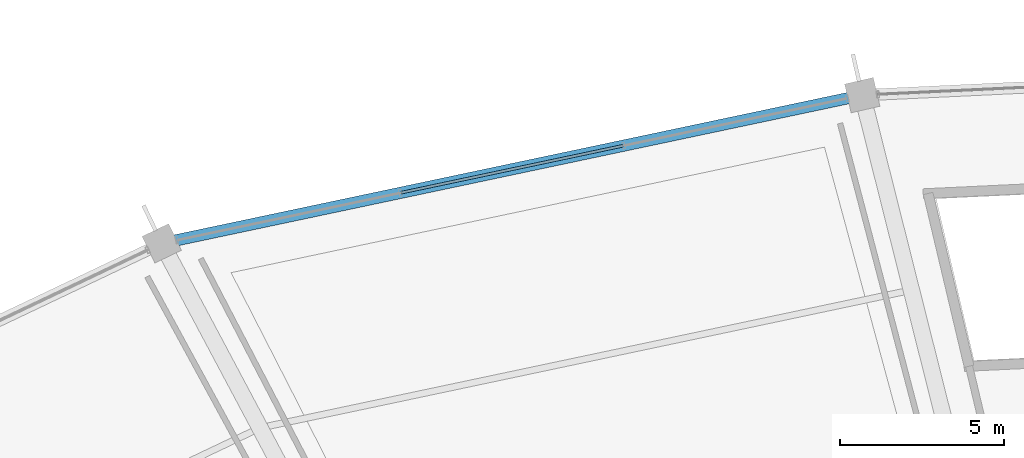
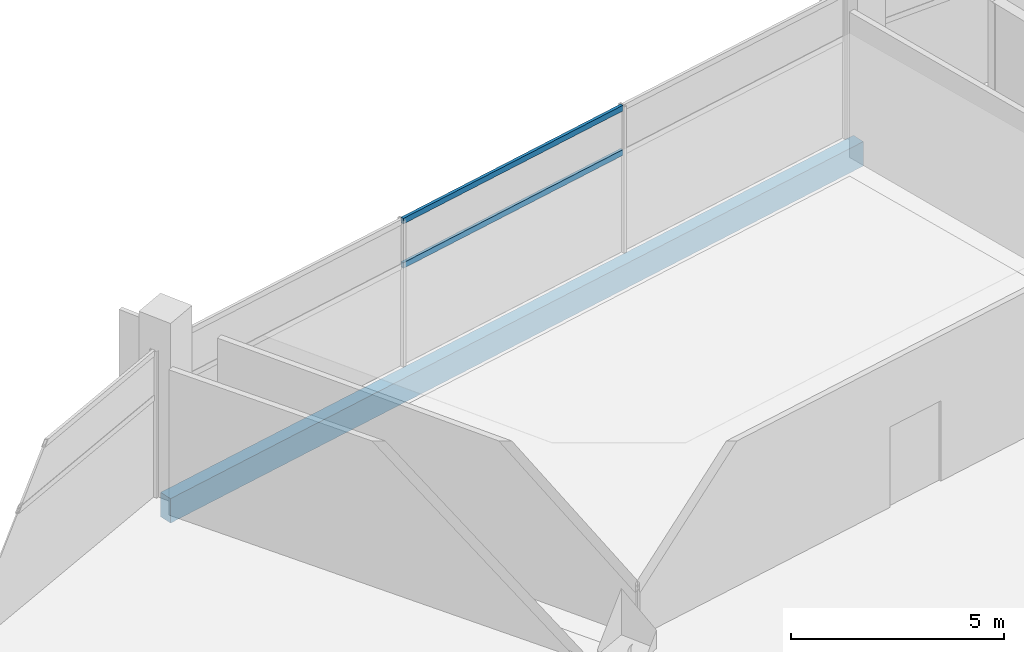
# One storey, part 115 of 184: 2 members, 1 beam, 1 element without a shape of its own.
"""IFC4 building model written with IfcOpenShell, lengths in metres."""

from ifc_helpers import new_model, si_unit, direction, frame, origin, origin_2d, place, context, subcontext, project, spatial, rectangle, hollow_rectangle, extrude, material, layer, layer_set, material_profile, profile_set, type_object, element, aggregate, save


model = new_model("IFC4")

# Units and contexts
model_context = context("Model", 3, precision=1e-05, world=origin(), true_north=direction((0.0, 1.0)))
body_context = subcontext(model_context, "Body", "Model", "MODEL_VIEW")
ifc_project = project(units=[si_unit("LENGTHUNIT", "METRE"), si_unit("AREAUNIT", "SQUARE_METRE"), si_unit("VOLUMEUNIT", "CUBIC_METRE"), si_unit("PLANEANGLEUNIT", "RADIAN"), si_unit("MASSUNIT", "GRAM", prefix="KILO")], contexts=[model_context])

# Site, building, storey
site_placement = place(None, origin())
site = spatial("IfcSite", under=ifc_project, at=site_placement, CompositionType="ELEMENT")
building_placement = place(site_placement, origin())
building = spatial("IfcBuilding", under=site, at=building_placement, Name="Kazemori Nagisa Stadium", CompositionType="ELEMENT")
storey_placement = place(building_placement, frame((0.0, 0.0, 10.5400390625)))
storey = spatial("IfcBuildingStorey", under=building, at=storey_placement, Name="L02", CompositionType="ELEMENT", Elevation=10.5400390625)

# Beam
ifc_material_1 = material(Name="Concrete C40/50 (Fc42)", Category="concrete")
ifc_material_profile_1 = material_profile(ifc_material_1, rectangle(XDim=0.35009765625, YDim=0.699951171875, at=origin_2d()), Name="RC-SP-350x700")
ifc_profile_set_1 = profile_set([ifc_material_profile_1], Name="Concrete C40/50 (Fc42)")
beam_type = type_object("IfcBeamType", Name="Beam_BS-RC350X700", PredefinedType="SPANDREL", material=ifc_profile_set_1)
beam_placement = place(storey_placement, frame((101.572265625, 186.98681640625, -0.610107421875), z_axis=(-0.97834587432, -0.206976689994, 0.0), x_axis=(0.206976689994, -0.97834587432, 0.0)))
element("IfcBeam", 1, at=beam_placement, inside=storey, type_object=beam_type, Name="Ring girder BS-RC350X700 L02 R3-09", PredefinedType="SPANDREL", context=body_context, shape_type="SweptSolid", body=[
    extrude(rectangle(XDim=0.35009765625, YDim=0.699951171875, at=origin_2d()), origin(), (0.0, 0.0, 1.0), 21.85009765625),
])

# Curtain wall, members
ifc_material_2 = material(Name="Anodised aluminium 6063-T5", Category="aluminium")
ifc_layer = layer(ifc_material_2, 0.2099609375, Name="Anodised aluminium 6063-T5", Category="aluminium")
ifc_layer_set = layer_set([ifc_layer], Name="Anodised aluminium 6063-T5")
curtain_wall_type = type_object("IfcCurtainWallType", Name="CW_L02R3_105", PredefinedType="USERDEFINED", material=ifc_layer_set)
curtain_wall_placement = place(storey_placement, origin())
curtain_wall = element("IfcCurtainWall", 2, at=curtain_wall_placement, inside=storey, type_object=curtain_wall_type, Name="Unitised curtain wall CW-L02R3-105 L02", ObjectType="UNITISED CURTAIN WALL", PredefinedType="USERDEFINED")
ifc_material_3 = material(Name="Aluminium 6063-T5 anodised", Category="aluminium")
ifc_material_profile_2 = material_profile(ifc_material_3, hollow_rectangle(XDim=0.080078125, YDim=0.159912109375, WallThickness=0.00390625, at=origin_2d()), Name="ALU-TRAN-80x160x4")
ifc_profile_set_2 = profile_set([ifc_material_profile_2], Name="Aluminium 6063-T5 anodised")
member_type = type_object("IfcMemberType", Name="Transom_T02", PredefinedType="USERDEFINED", material=ifc_profile_set_2)
member_1_placement = place(storey_placement, frame((94.272216796875, 185.4423828125, 2.84912109375), z_axis=(-0.978348879673, -0.20696248366, 0.0), x_axis=(0.20696248366, -0.978348879673, 0.0)))
member_1 = element("IfcMember", 3, at=member_1_placement, type_object=member_type, Name="Curtain wall transom CW-L02R3-105-T2-mid", ObjectType="TRANSOM", PredefinedType="USERDEFINED", context=body_context, shape_type="SweptSolid", body=[
    extrude(hollow_rectangle(XDim=0.080078125, YDim=0.159912109375, WallThickness=0.00390625, at=origin_2d()), origin(), (0.0, 0.0, 1.0), 6.9267578125),
])
member_2_placement = place(storey_placement, frame((94.272216796875, 185.4423828125, 4.119873046875), z_axis=(-0.978348879673, -0.20696248366, 0.0), x_axis=(0.20696248366, -0.978348879673, 0.0)))
member_2 = element("IfcMember", 4, at=member_2_placement, type_object=member_type, Name="Curtain wall transom CW-L02R3-105-T2-head", ObjectType="TRANSOM", PredefinedType="USERDEFINED", context=body_context, shape_type="SweptSolid", body=[
    extrude(hollow_rectangle(XDim=0.080078125, YDim=0.159912109375, WallThickness=0.00390625, at=origin_2d()), origin(), (0.0, 0.0, 1.0), 6.9267578125),
])
aggregate(curtain_wall, [member_1, member_2])

save(model, "model.ifc")
